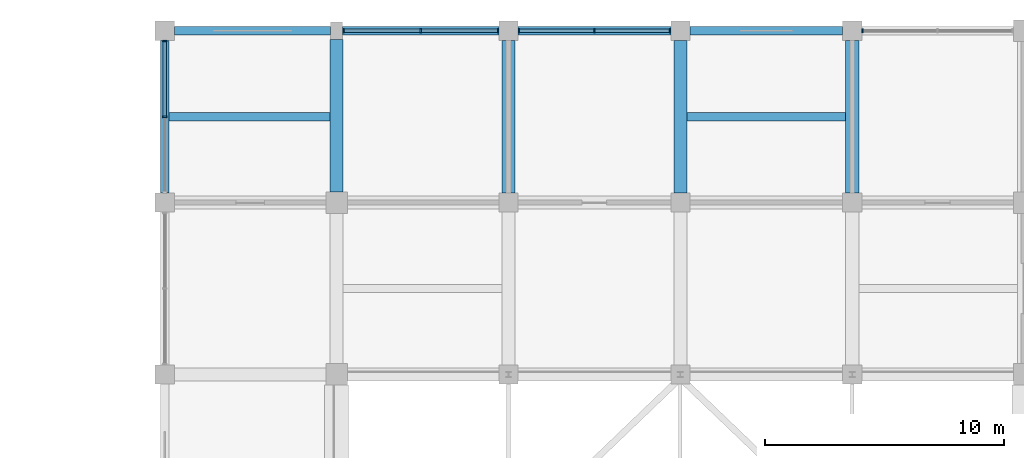
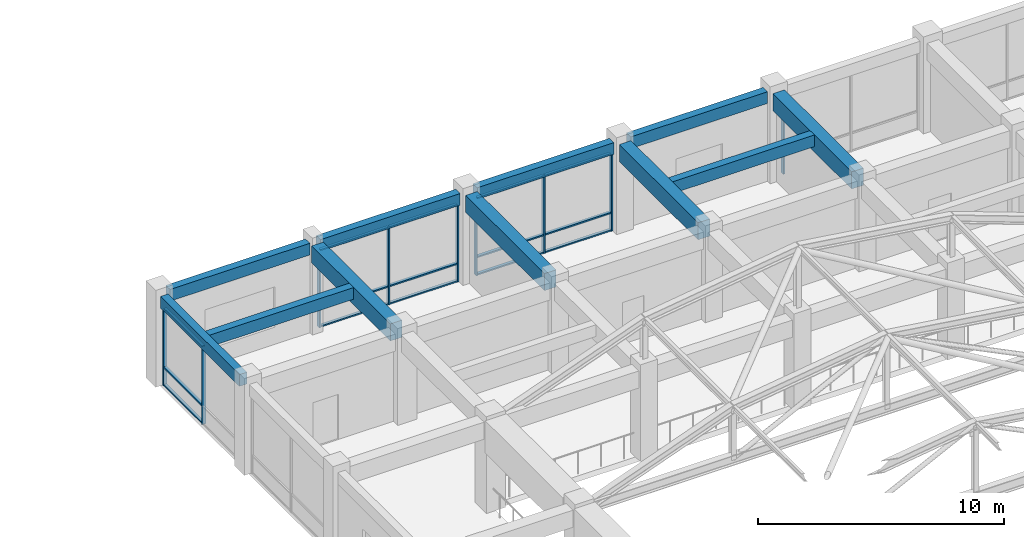
# One storey, part 45 of 75: 24 members, 11 beams, 4 elements without a shape of their own.
"""IFC4 building model written with IfcOpenShell, lengths in metres."""

from ifc_helpers import new_model, si_unit, direction, frame, origin, origin_2d, place, context, subcontext, project, spatial, rectangle, extrude, material, layer, layer_set, material_profile, profile_set, type_object, element, aggregate, save


model = new_model("IFC4")

# Units and contexts
model_context = context("Model", 3, precision=1e-05, world=origin(), true_north=direction((0.0, 1.0)))
body_context = subcontext(model_context, "Body", "Model", "MODEL_VIEW")
ifc_project = project(units=[si_unit("LENGTHUNIT", "METRE"), si_unit("AREAUNIT", "SQUARE_METRE"), si_unit("VOLUMEUNIT", "CUBIC_METRE"), si_unit("PLANEANGLEUNIT", "RADIAN"), si_unit("MASSUNIT", "GRAM", prefix="KILO")], contexts=[model_context])

# Site, building, storey
site_placement = place(None, origin())
site = spatial("IfcSite", under=ifc_project, at=site_placement, CompositionType="ELEMENT")
building_placement = place(site_placement, origin())
building = spatial("IfcBuilding", under=site, at=building_placement, Name="Cendaluz Park School", CompositionType="ELEMENT")
storey_placement = place(building_placement, frame((0.0, 0.0, 4.800048828125)))
storey = spatial("IfcBuildingStorey", under=building, at=storey_placement, Name="L01", CompositionType="ELEMENT", Elevation=4.800048828125)

# Beams
ifc_material_1 = material(Name="Concrete C40/50", Category="concrete")
ifc_material_profile_1 = material_profile(ifc_material_1, rectangle(XDim=0.550048828125, YDim=0.85009765625, at=origin_2d()), Name="RC 550x850", Category="concrete")
ifc_profile_set_1 = profile_set([ifc_material_profile_1], Name="Concrete C40/50")
beam_type_1 = type_object("IfcBeamType", Name="BM-RC01", PredefinedType="BEAM", material=ifc_profile_set_1)
beam_1_placement = place(storey_placement, frame((136.800048828125, 108.449951171875, 4.0048828125), z_axis=(0.0, 1.0, 0.0), x_axis=(-1.0, 0.0, 0.0)))
element("IfcBeam", 1, at=beam_1_placement, inside=storey, type_object=beam_type_1, Name="BM-L01-BMRC01-0418", PredefinedType="BEAM", context=body_context, shape_type="SweptSolid", body=[
    extrude(rectangle(XDim=0.550048828125, YDim=0.85009765625, at=origin_2d()), origin(), (0.0, 0.0, 1.0), 6.375),
])
for number, where, z_axis, x_axis, name in (
    (2, (144.0, 108.39990234375, 4.0048828125), (0.0, 1.0, 0.0), (-1.0, 0.0, 0.0), "BM-L01-BMRC01-0428"),
    (3, (151.199951171875, 108.39990234375, 4.0048828125), (0.0, 1.0, 0.0), (-1.0, 0.0, 0.0), "BM-L01-BMRC01-0434"),
    (4, (158.39990234375, 108.39990234375, 4.0048828125), (0.0, 1.0, 0.0), (-1.0, 0.0, 0.0), "BM-L01-BMRC01-0440"),
):
    element("IfcBeam", number, at=place(storey_placement, frame(where, z_axis=z_axis, x_axis=x_axis)), inside=storey, type_object=beam_type_1, Name=name, PredefinedType="BEAM", context=body_context, shape_type="SweptSolid", body=[
        extrude(rectangle(XDim=0.550048828125, YDim=0.85009765625, at=origin_2d()), origin(), (0.0, 0.0, 1.0), 6.400146484375),
    ])
ifc_material_profile_2 = material_profile(ifc_material_1, rectangle(XDim=0.35009765625, YDim=0.580078125, at=origin_2d()), Name="RC 350x580", Category="concrete")
ifc_profile_set_2 = profile_set([ifc_material_profile_2], Name="Concrete C40/50")
beam_type_2 = type_object("IfcBeamType", Name="BM-RC04", PredefinedType="LINTEL", material=ifc_profile_set_2)
for number, where, z_axis, x_axis, name in (
    (5, (130.0, 115.199951171875, 4.139892578125), (1.0, 0.0, 0.0), (0.0, 1.0, 0.0), "BM-L01-BMRC04-0172"),
    (6, (137.050048828125, 115.199951171875, 4.139892578125), (1.0, 0.0, 0.0), (0.0, 1.0, 0.0), "BM-L01-BMRC04-0183"),
):
    element("IfcBeam", number, at=place(storey_placement, frame(where, z_axis=z_axis, x_axis=x_axis)), inside=storey, type_object=beam_type_2, Name=name, PredefinedType="LINTEL", context=body_context, shape_type="SweptSolid", body=[
        extrude(rectangle(XDim=0.35009765625, YDim=0.580078125, at=origin_2d()), origin(), (0.0, 0.0, 1.0), 6.550048828125),
    ])
beam_2_placement = place(storey_placement, frame((144.39990234375, 115.199951171875, 4.139892578125), z_axis=(1.0, 0.0, 0.0), x_axis=(0.0, 1.0, 0.0)))
element("IfcBeam", 7, at=beam_2_placement, inside=storey, type_object=beam_type_2, Name="BM-L01-BMRC04-0192", PredefinedType="LINTEL", context=body_context, shape_type="SweptSolid", body=[
    extrude(rectangle(XDim=0.35009765625, YDim=0.580078125, at=origin_2d()), origin(), (0.0, 0.0, 1.0), 6.400146484375),
])
beam_3_placement = place(storey_placement, frame((151.60009765625, 115.199951171875, 4.139892578125), z_axis=(1.0, 0.0, 0.0), x_axis=(0.0, 1.0, 0.0)))
element("IfcBeam", 8, at=beam_3_placement, inside=storey, type_object=beam_type_2, Name="BM-L01-BMRC04-0201", PredefinedType="LINTEL", context=body_context, shape_type="SweptSolid", body=[
    extrude(rectangle(XDim=0.35009765625, YDim=0.580078125, at=origin_2d()), origin(), (0.0, 0.0, 1.0), 6.39990234375),
])
beam_4_placement = place(storey_placement, frame((129.60009765625, 108.39990234375, 4.139892578125), z_axis=(0.0, 1.0, 0.0), x_axis=(-1.0, 0.0, 0.0)))
element("IfcBeam", 9, at=beam_4_placement, inside=storey, type_object=beam_type_2, Name="BM-L01-BMRC04-0402", PredefinedType="LINTEL", context=body_context, shape_type="SweptSolid", body=[
    extrude(rectangle(XDim=0.35009765625, YDim=0.580078125, at=origin_2d()), origin(), (0.0, 0.0, 1.0), 6.400146484375),
])

# Curtain wall, members
ifc_material_2 = material(Name="Anodised Aluminium 6063-T6", Category="aluminium")
ifc_layer_1 = layer(ifc_material_2, 0.179931640625)
ifc_layer_set_1 = layer_set([ifc_layer_1], Name="Anodised Aluminium 6063-T6")
curtain_wall_type_1 = type_object("IfcCurtainWallType", Name="CW-128x77", PredefinedType="NOTDEFINED", material=ifc_layer_set_1)
curtain_wall_1_placement = place(storey_placement, origin())
curtain_wall_1 = element("IfcCurtainWall", 10, at=curtain_wall_1_placement, inside=storey, type_object=curtain_wall_type_1, Name="CW-L01-067", PredefinedType="NOTDEFINED")
ifc_material_profile_3 = material_profile(ifc_material_2, rectangle(XDim=0.179931640625, YDim=0.070068359375, at=origin_2d()), Name="CWM 180x70", Category="aluminium")
ifc_profile_set_3 = profile_set([ifc_material_profile_3], Name="Anodised Aluminium 6063-T6")
member_type_1 = type_object("IfcMemberType", Name="CWM-01", PredefinedType="MULLION", material=ifc_profile_set_3)
member_1_placement = place(storey_placement, frame((129.60009765625, 111.60009765625, 0.0), z_axis=(0.0, 0.0, 1.0), x_axis=(-1.0, 0.0, 0.0)))
member_1 = element("IfcMember", 11, at=member_1_placement, type_object=member_type_1, Name="CP-L01-0860", PredefinedType="MULLION", context=body_context, shape_type="SweptSolid", body=[
    extrude(rectangle(XDim=0.179931640625, YDim=0.070068359375, at=origin_2d()), origin(), (0.0, 0.0, 1.0), 3.849853515625),
])
member_2_placement = place(storey_placement, frame((129.60009765625, 114.764892578125, 0.0), z_axis=(0.0, 0.0, 1.0), x_axis=(-1.0, 0.0, 0.0)))
member_2 = element("IfcMember", 12, at=member_2_placement, type_object=member_type_1, Name="CP-L01-0861", PredefinedType="MULLION", context=body_context, shape_type="SweptSolid", body=[
    extrude(rectangle(XDim=0.179931640625, YDim=0.070068359375, at=origin_2d()), origin(), (0.0, 0.0, 1.0), 3.849853515625),
])

ifc_layer_2 = layer(ifc_material_2, 0.179931640625)
ifc_layer_set_2 = layer_set([ifc_layer_2], Name="Anodised Aluminium 6063-T6")
curtain_wall_type_2 = type_object("IfcCurtainWallType", Name="CW-131x77", PredefinedType="NOTDEFINED", material=ifc_layer_set_2)
curtain_wall_2_placement = place(storey_placement, origin())
curtain_wall_2 = element("IfcCurtainWall", 13, at=curtain_wall_2_placement, inside=storey, type_object=curtain_wall_type_2, Name="CW-L01-069", PredefinedType="NOTDEFINED")
member_3_placement = place(storey_placement, frame((137.0849609375, 115.199951171875, 0.0), z_axis=(0.0, 0.0, 1.0), x_axis=(0.0, 1.0, 0.0)))
member_3 = element("IfcMember", 14, at=member_3_placement, type_object=member_type_1, Name="CP-L01-0885", PredefinedType="MULLION", context=body_context, shape_type="SweptSolid", body=[
    extrude(rectangle(XDim=0.179931640625, YDim=0.070068359375, at=origin_2d()), origin(), (0.0, 0.0, 1.0), 3.849853515625),
])
member_4_placement = place(storey_placement, frame((140.324951171875, 115.199951171875, 0.0), z_axis=(0.0, 0.0, 1.0), x_axis=(0.0, 1.0, 0.0)))
member_4 = element("IfcMember", 15, at=member_4_placement, type_object=member_type_1, Name="CP-L01-0886", PredefinedType="MULLION", context=body_context, shape_type="SweptSolid", body=[
    extrude(rectangle(XDim=0.179931640625, YDim=0.070068359375, at=origin_2d()), origin(), (0.0, 0.0, 1.0), 3.849853515625),
])
member_5_placement = place(storey_placement, frame((143.56494140625, 115.199951171875, 0.0), z_axis=(0.0, 0.0, 1.0), x_axis=(0.0, 1.0, 0.0)))
member_5 = element("IfcMember", 16, at=member_5_placement, type_object=member_type_1, Name="CP-L01-0887", PredefinedType="MULLION", context=body_context, shape_type="SweptSolid", body=[
    extrude(rectangle(XDim=0.179931640625, YDim=0.070068359375, at=origin_2d()), origin(), (0.0, 0.0, 1.0), 3.849853515625),
])

curtain_wall_3_placement = place(storey_placement, origin())
curtain_wall_3 = element("IfcCurtainWall", 17, at=curtain_wall_3_placement, inside=storey, type_object=curtain_wall_type_1, Name="CW-L01-072", PredefinedType="NOTDEFINED")
member_6_placement = place(storey_placement, frame((144.43505859375, 115.199951171875, 0.0), z_axis=(0.0, 0.0, 1.0), x_axis=(0.0, 1.0, 0.0)))
member_6 = element("IfcMember", 18, at=member_6_placement, type_object=member_type_1, Name="CP-L01-0924", PredefinedType="MULLION", context=body_context, shape_type="SweptSolid", body=[
    extrude(rectangle(XDim=0.179931640625, YDim=0.070068359375, at=origin_2d()), origin(), (0.0, 0.0, 1.0), 3.849853515625),
])
member_7_placement = place(storey_placement, frame((147.60009765625, 115.199951171875, 0.0), z_axis=(0.0, 0.0, 1.0), x_axis=(0.0, 1.0, 0.0)))
member_7 = element("IfcMember", 19, at=member_7_placement, type_object=member_type_1, Name="CP-L01-0925", PredefinedType="MULLION", context=body_context, shape_type="SweptSolid", body=[
    extrude(rectangle(XDim=0.179931640625, YDim=0.070068359375, at=origin_2d()), origin(), (0.0, 0.0, 1.0), 3.849853515625),
])
member_8_placement = place(storey_placement, frame((150.764892578125, 115.199951171875, 0.0), z_axis=(0.0, 0.0, 1.0), x_axis=(0.0, 1.0, 0.0)))
member_8 = element("IfcMember", 20, at=member_8_placement, type_object=member_type_1, Name="CP-L01-0926", PredefinedType="MULLION", context=body_context, shape_type="SweptSolid", body=[
    extrude(rectangle(XDim=0.179931640625, YDim=0.070068359375, at=origin_2d()), origin(), (0.0, 0.0, 1.0), 3.849853515625),
])

# Curtain wall, member
ifc_layer_3 = layer(ifc_material_2, 0.179931640625)
ifc_layer_set_3 = layer_set([ifc_layer_3], Name="Anodised Aluminium 6063-T6")
curtain_wall_type_3 = type_object("IfcCurtainWallType", Name="CW-127x77", PredefinedType="NOTDEFINED", material=ifc_layer_set_3)
curtain_wall_4_placement = place(storey_placement, origin())
curtain_wall_4 = element("IfcCurtainWall", 21, at=curtain_wall_4_placement, inside=storey, type_object=curtain_wall_type_3, Name="CW-L01-077", PredefinedType="NOTDEFINED")
member_9_placement = place(storey_placement, frame((158.8349609375, 115.199951171875, 0.0), z_axis=(0.0, 0.0, 1.0), x_axis=(0.0, 1.0, 0.0)))
member_9 = element("IfcMember", 22, at=member_9_placement, type_object=member_type_1, Name="CP-L01-0989", PredefinedType="MULLION", context=body_context, shape_type="SweptSolid", body=[
    extrude(rectangle(XDim=0.179931640625, YDim=0.070068359375, at=origin_2d()), origin(), (0.0, 0.0, 1.0), 3.849853515625),
])
aggregate(curtain_wall_4, [member_9])

# Member
ifc_material_profile_4 = material_profile(ifc_material_2, rectangle(XDim=0.139892578125, YDim=0.070068359375, at=origin_2d()), Name="CWT 140x70", Category="aluminium")
ifc_profile_set_4 = profile_set([ifc_material_profile_4], Name="Anodised Aluminium 6063-T6")
member_type_2 = type_object("IfcMemberType", Name="CWT-01", PredefinedType="USERDEFINED", material=ifc_profile_set_4)
member_10_placement = place(storey_placement, frame((129.60009765625, 111.635009765625, 0.034912109375), z_axis=(0.0, 1.0, 0.0), x_axis=(-1.0, 0.0, 0.0)))
member_10 = element("IfcMember", 23, at=member_10_placement, type_object=member_type_2, Name="CP-L01-0867", ObjectType="TRANSOM", PredefinedType="USERDEFINED", context=body_context, shape_type="SweptSolid", body=[
    extrude(rectangle(XDim=0.139892578125, YDim=0.070068359375, at=origin_2d()), origin(), (0.0, 0.0, 1.0), 3.094970703125),
])

member_11_placement = place(storey_placement, frame((129.60009765625, 111.635009765625, 0.89990234375), z_axis=(0.0, 1.0, 0.0), x_axis=(-1.0, 0.0, 0.0)))
member_11 = element("IfcMember", 24, at=member_11_placement, type_object=member_type_2, Name="CP-L01-0868", ObjectType="TRANSOM", PredefinedType="USERDEFINED", context=body_context, shape_type="SweptSolid", body=[
    extrude(rectangle(XDim=0.139892578125, YDim=0.070068359375, at=origin_2d()), origin(), (0.0, 0.0, 1.0), 3.094970703125),
])

member_12_placement = place(storey_placement, frame((129.60009765625, 111.635009765625, 3.81494140625), z_axis=(0.0, 1.0, 0.0), x_axis=(-1.0, 0.0, 0.0)))
member_12 = element("IfcMember", 25, at=member_12_placement, type_object=member_type_2, Name="CP-L01-0869", ObjectType="TRANSOM", PredefinedType="USERDEFINED", context=body_context, shape_type="SweptSolid", body=[
    extrude(rectangle(XDim=0.139892578125, YDim=0.070068359375, at=origin_2d()), origin(), (0.0, 0.0, 1.0), 3.094970703125),
])

aggregate(curtain_wall_1, [member_1, member_2, member_10, member_11, member_12])

member_13_placement = place(storey_placement, frame((137.1201171875, 115.199951171875, 0.034912109375), z_axis=(1.0, 0.0, 0.0), x_axis=(0.0, 1.0, 0.0)))
member_13 = element("IfcMember", 26, at=member_13_placement, type_object=member_type_2, Name="CP-L01-0888", ObjectType="TRANSOM", PredefinedType="USERDEFINED", context=body_context, shape_type="SweptSolid", body=[
    extrude(rectangle(XDim=0.139892578125, YDim=0.070068359375, at=origin_2d()), origin(), (0.0, 0.0, 1.0), 3.169921875),
])

member_14_placement = place(storey_placement, frame((137.1201171875, 115.199951171875, 0.89990234375), z_axis=(1.0, 0.0, 0.0), x_axis=(0.0, 1.0, 0.0)))
member_14 = element("IfcMember", 27, at=member_14_placement, type_object=member_type_2, Name="CP-L01-0889", ObjectType="TRANSOM", PredefinedType="USERDEFINED", context=body_context, shape_type="SweptSolid", body=[
    extrude(rectangle(XDim=0.139892578125, YDim=0.070068359375, at=origin_2d()), origin(), (0.0, 0.0, 1.0), 3.169921875),
])

member_15_placement = place(storey_placement, frame((137.1201171875, 115.199951171875, 3.81494140625), z_axis=(1.0, 0.0, 0.0), x_axis=(0.0, 1.0, 0.0)))
member_15 = element("IfcMember", 28, at=member_15_placement, type_object=member_type_2, Name="CP-L01-0890", ObjectType="TRANSOM", PredefinedType="USERDEFINED", context=body_context, shape_type="SweptSolid", body=[
    extrude(rectangle(XDim=0.139892578125, YDim=0.070068359375, at=origin_2d()), origin(), (0.0, 0.0, 1.0), 3.169921875),
])

member_16_placement = place(storey_placement, frame((140.360107421875, 115.199951171875, 0.034912109375), z_axis=(1.0, 0.0, 0.0), x_axis=(0.0, 1.0, 0.0)))
member_16 = element("IfcMember", 29, at=member_16_placement, type_object=member_type_2, Name="CP-L01-0893", ObjectType="TRANSOM", PredefinedType="USERDEFINED", context=body_context, shape_type="SweptSolid", body=[
    extrude(rectangle(XDim=0.139892578125, YDim=0.070068359375, at=origin_2d()), origin(), (0.0, 0.0, 1.0), 3.169921875),
])

member_17_placement = place(storey_placement, frame((140.360107421875, 115.199951171875, 0.89990234375), z_axis=(1.0, 0.0, 0.0), x_axis=(0.0, 1.0, 0.0)))
member_17 = element("IfcMember", 30, at=member_17_placement, type_object=member_type_2, Name="CP-L01-0894", ObjectType="TRANSOM", PredefinedType="USERDEFINED", context=body_context, shape_type="SweptSolid", body=[
    extrude(rectangle(XDim=0.139892578125, YDim=0.070068359375, at=origin_2d()), origin(), (0.0, 0.0, 1.0), 3.169921875),
])

member_18_placement = place(storey_placement, frame((140.360107421875, 115.199951171875, 3.81494140625), z_axis=(1.0, 0.0, 0.0), x_axis=(0.0, 1.0, 0.0)))
member_18 = element("IfcMember", 31, at=member_18_placement, type_object=member_type_2, Name="CP-L01-0895", ObjectType="TRANSOM", PredefinedType="USERDEFINED", context=body_context, shape_type="SweptSolid", body=[
    extrude(rectangle(XDim=0.139892578125, YDim=0.070068359375, at=origin_2d()), origin(), (0.0, 0.0, 1.0), 3.169921875),
])

aggregate(curtain_wall_2, [member_3, member_4, member_5, member_13, member_14, member_15, member_16, member_17, member_18])

member_19_placement = place(storey_placement, frame((144.469970703125, 115.199951171875, 0.034912109375), z_axis=(1.0, 0.0, 0.0), x_axis=(0.0, 1.0, 0.0)))
member_19 = element("IfcMember", 32, at=member_19_placement, type_object=member_type_2, Name="CP-L01-0927", ObjectType="TRANSOM", PredefinedType="USERDEFINED", context=body_context, shape_type="SweptSolid", body=[
    extrude(rectangle(XDim=0.139892578125, YDim=0.070068359375, at=origin_2d()), origin(), (0.0, 0.0, 1.0), 3.094970703125),
])

member_20_placement = place(storey_placement, frame((144.469970703125, 115.199951171875, 0.89990234375), z_axis=(1.0, 0.0, 0.0), x_axis=(0.0, 1.0, 0.0)))
member_20 = element("IfcMember", 33, at=member_20_placement, type_object=member_type_2, Name="CP-L01-0928", ObjectType="TRANSOM", PredefinedType="USERDEFINED", context=body_context, shape_type="SweptSolid", body=[
    extrude(rectangle(XDim=0.139892578125, YDim=0.070068359375, at=origin_2d()), origin(), (0.0, 0.0, 1.0), 3.094970703125),
])

member_21_placement = place(storey_placement, frame((144.469970703125, 115.199951171875, 3.81494140625), z_axis=(1.0, 0.0, 0.0), x_axis=(0.0, 1.0, 0.0)))
member_21 = element("IfcMember", 34, at=member_21_placement, type_object=member_type_2, Name="CP-L01-0929", ObjectType="TRANSOM", PredefinedType="USERDEFINED", context=body_context, shape_type="SweptSolid", body=[
    extrude(rectangle(XDim=0.139892578125, YDim=0.070068359375, at=origin_2d()), origin(), (0.0, 0.0, 1.0), 3.094970703125),
])

member_22_placement = place(storey_placement, frame((147.635009765625, 115.199951171875, 0.034912109375), z_axis=(1.0, 0.0, 0.0), x_axis=(0.0, 1.0, 0.0)))
member_22 = element("IfcMember", 35, at=member_22_placement, type_object=member_type_2, Name="CP-L01-0932", ObjectType="TRANSOM", PredefinedType="USERDEFINED", context=body_context, shape_type="SweptSolid", body=[
    extrude(rectangle(XDim=0.139892578125, YDim=0.070068359375, at=origin_2d()), origin(), (0.0, 0.0, 1.0), 3.094970703125),
])

member_23_placement = place(storey_placement, frame((147.635009765625, 115.199951171875, 0.89990234375), z_axis=(1.0, 0.0, 0.0), x_axis=(0.0, 1.0, 0.0)))
member_23 = element("IfcMember", 36, at=member_23_placement, type_object=member_type_2, Name="CP-L01-0933", ObjectType="TRANSOM", PredefinedType="USERDEFINED", context=body_context, shape_type="SweptSolid", body=[
    extrude(rectangle(XDim=0.139892578125, YDim=0.070068359375, at=origin_2d()), origin(), (0.0, 0.0, 1.0), 3.094970703125),
])

member_24_placement = place(storey_placement, frame((147.635009765625, 115.199951171875, 3.81494140625), z_axis=(1.0, 0.0, 0.0), x_axis=(0.0, 1.0, 0.0)))
member_24 = element("IfcMember", 37, at=member_24_placement, type_object=member_type_2, Name="CP-L01-0934", ObjectType="TRANSOM", PredefinedType="USERDEFINED", context=body_context, shape_type="SweptSolid", body=[
    extrude(rectangle(XDim=0.139892578125, YDim=0.070068359375, at=origin_2d()), origin(), (0.0, 0.0, 1.0), 3.094970703125),
])

aggregate(curtain_wall_3, [member_6, member_7, member_8, member_19, member_20, member_21, member_22, member_23, member_24])

# Beams
ifc_material_profile_5 = material_profile(ifc_material_1, rectangle(XDim=0.35009765625, YDim=0.580078125, at=origin_2d()), Name="RC 350x580", Category="concrete")
ifc_profile_set_5 = profile_set([ifc_material_profile_5], Name="Concrete C40/50")
beam_type_3 = type_object("IfcBeamType", Name="JT-RC01", PredefinedType="JOIST", material=ifc_profile_set_5)
beam_5_placement = place(storey_placement, frame((129.77490234375, 111.60009765625, 4.139892578125), z_axis=(1.0, 0.0, 0.0), x_axis=(0.0, 1.0, 0.0)))
element("IfcBeam", 38, at=beam_5_placement, inside=storey, type_object=beam_type_3, Name="BM-L01-JTRC01-0512", PredefinedType="JOIST", context=body_context, shape_type="SweptSolid", body=[
    extrude(rectangle(XDim=0.35009765625, YDim=0.580078125, at=origin_2d()), origin(), (0.0, 0.0, 1.0), 6.75),
])
beam_6_placement = place(storey_placement, frame((151.47509765625, 111.60009765625, 4.139892578125), z_axis=(1.0, 0.0, 0.0), x_axis=(0.0, 1.0, 0.0)))
element("IfcBeam", 39, at=beam_6_placement, inside=storey, type_object=beam_type_3, Name="BM-L01-JTRC01-0519", PredefinedType="JOIST", context=body_context, shape_type="SweptSolid", body=[
    extrude(rectangle(XDim=0.35009765625, YDim=0.580078125, at=origin_2d()), origin(), (0.0, 0.0, 1.0), 6.64990234375),
])

save(model, "model.ifc")
